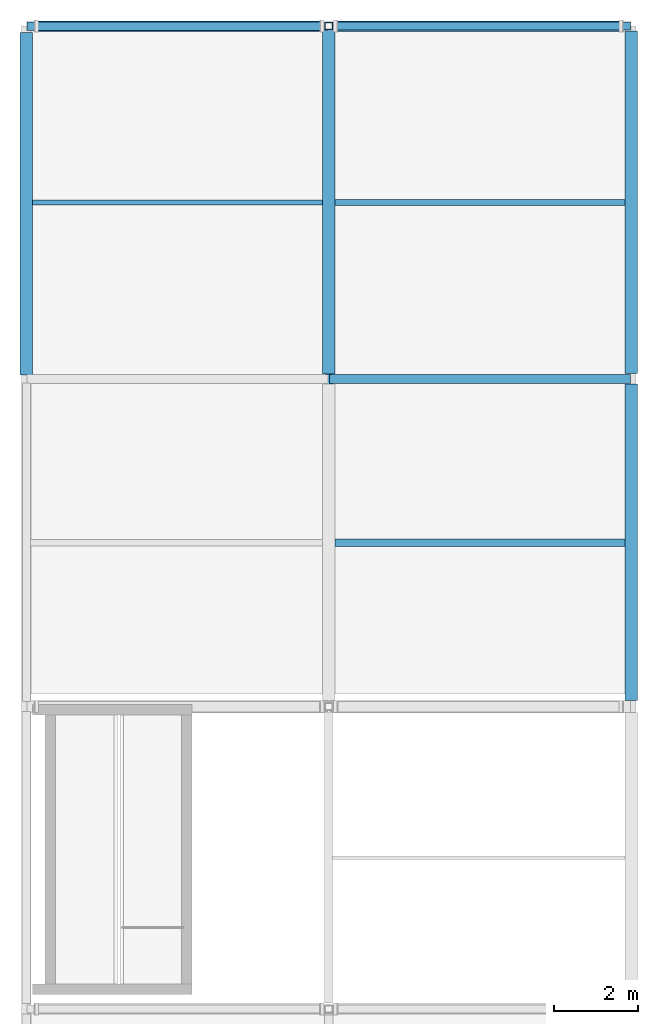
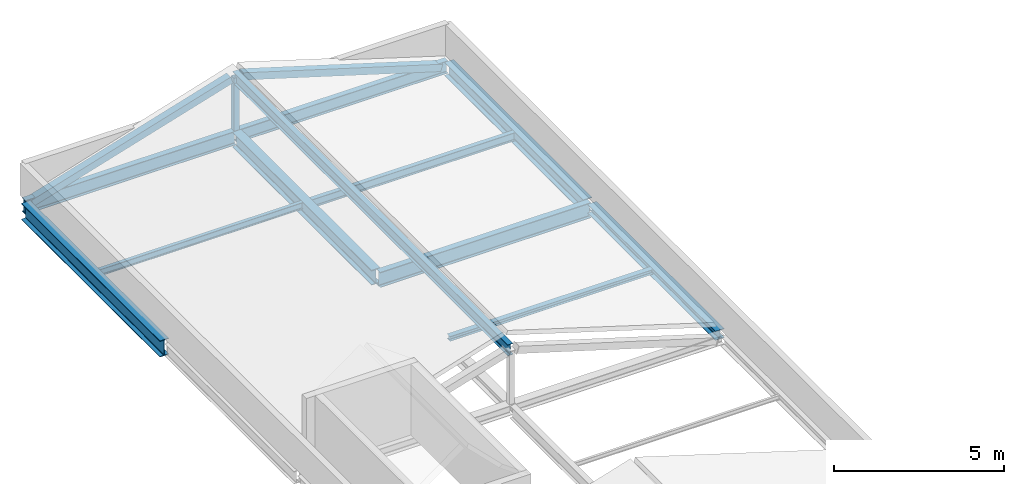
# One storey, part 4 of 9: 11 beams, 3 members.
"""IFC4 building model written with IfcOpenShell, lengths in metres."""

import ifcopenshell
import ifcopenshell.guid

model = None  # the IFC model being written
_history = None  # IfcOwnerHistory: only IFC2X3 demands one
_inside = {}  # id of a spatial element -> (the spatial element, [elements in it])
_under = {}  # id of a project, library or spatial element -> (it, [spatial elements below it])
_declared = {}  # id of a project -> (the project, [libraries it declares])
_typed = {}  # id of a type object -> (the type object, [elements of that type])
_made_of = {}  # id of a material, layer set ... -> (it, [elements and type objects made of it])


def new_model(schema):
    """Start an empty IFC model of exactly this schema.

    Asked for "IFC4X3", IfcOpenShell would pick the latest addendum, in which some entities
    have other attributes; the version numbers below select the first issue.
    IFC2X3 requires an IfcOwnerHistory on every rooted entity: one is made here for all.
    """
    global model, _history
    if schema == "IFC4X3":
        model = ifcopenshell.file(schema_version=(4, 3, 0, 0))
    else:
        model = ifcopenshell.file(schema=schema)
    _inside.clear()
    _under.clear()
    _declared.clear()
    _typed.clear()
    _made_of.clear()
    _history = None
    if model.schema == "IFC2X3":
        org = make("IfcOrganization", Name="unknown")
        user = make(
            "IfcPersonAndOrganization",
            ThePerson=make("IfcPerson", FamilyName="unknown"),
            TheOrganization=org,
        )
        app = make(
            "IfcApplication",
            ApplicationDeveloper=org,
            Version="unknown",
            ApplicationFullName="unknown",
            ApplicationIdentifier="unknown",
        )
        _history = make(
            "IfcOwnerHistory",
            OwningUser=user,
            OwningApplication=app,
            ChangeAction="ADDED",
            CreationDate=0,
        )
    return model


def make(cls, **values):
    """One entity of the class cls with the attributes given. An attribute that is None is left unset."""
    return model.create_entity(
        cls, **{name: value for name, value in values.items() if value is not None}
    )


def rooted(cls, **values):
    """An entity with a GlobalId (a new one), such as an element, a storey or a relation."""
    return make(cls, GlobalId=ifcopenshell.guid.new(), OwnerHistory=_history, **values)


def si_unit(unit_type, name, prefix=None):
    """IfcSIUnit, for example si_unit("LENGTHUNIT", "METRE", prefix="MILLI")."""
    return make("IfcSIUnit", UnitType=unit_type, Prefix=prefix, Name=name)


def assignment(units):
    """IfcUnitAssignment: the units of a project."""
    return None if units is None else make("IfcUnitAssignment", Units=units)


def point(xyz):
    """IfcCartesianPoint."""
    return None if xyz is None else make("IfcCartesianPoint", Coordinates=xyz)


def direction(xyz):
    """IfcDirection."""
    return None if xyz is None else make("IfcDirection", DirectionRatios=xyz)


def frame(location, z_axis=None, x_axis=None):
    """IfcAxis2Placement3D, a coordinate frame: its origin and axes. An axis left out is left unset."""
    return make(
        "IfcAxis2Placement3D",
        Location=point(location),
        Axis=direction(z_axis),
        RefDirection=direction(x_axis),
    )


def frame_2d(location, x_axis=None):
    """IfcAxis2Placement2D, a coordinate frame in the plane: its origin and x axis."""
    return make(
        "IfcAxis2Placement2D", Location=point(location), RefDirection=direction(x_axis)
    )


def origin():
    """The frame at (0, 0, 0) with its axes left unset."""
    return frame((0.0, 0.0, 0.0))


def origin_2d():
    """The frame at (0, 0) in the plane with its x axis left unset."""
    return frame_2d((0.0, 0.0))


def place(relative_to, where):
    """IfcLocalPlacement: puts the frame where relative to a parent placement (None: the world)."""
    return make(
        "IfcLocalPlacement", PlacementRelTo=relative_to, RelativePlacement=where
    )


def context(
    kind, dimensions, precision=None, world=None, true_north=None, identifier=None
):
    """IfcGeometricRepresentationContext, for example the 3D "Model" context."""
    return make(
        "IfcGeometricRepresentationContext",
        ContextIdentifier=identifier,
        ContextType=kind,
        CoordinateSpaceDimension=dimensions,
        Precision=precision,
        WorldCoordinateSystem=world,
        TrueNorth=true_north,
    )


def subcontext(parent, identifier, kind, view, scale=None):
    """IfcGeometricRepresentationSubContext, for example "Body" below "Model"."""
    return make(
        "IfcGeometricRepresentationSubContext",
        ContextIdentifier=identifier,
        ContextType=kind,
        ParentContext=parent,
        TargetScale=scale,
        TargetView=view,
    )


def project(units=None, contexts=None):
    """IfcProject with its units and contexts."""
    return rooted(
        "IfcProject",
        Name="project",
        RepresentationContexts=contexts,
        UnitsInContext=assignment(units),
    )


def spatial(cls, under=None, at=None, **own):
    """A site, building, storey or space (cls), placed at a placement, below another one or the project."""
    s = rooted(cls, ObjectPlacement=at, **own)
    if under is not None:
        _under.setdefault(under.id(), (under, []))[1].append(s)
    return s


def profile(cls, at=None, kind="AREA", **sizes):
    """A parametric profile (cls). Its sizes go by their IFC names, for example OverallWidth=200.0."""
    return make(cls, ProfileType=kind, Position=at, **sizes)


def hollow_rectangle(**sizes):
    """IfcRectangleHollowProfileDef."""
    return profile("IfcRectangleHollowProfileDef", **sizes)


def i_section(**sizes):
    """IfcIShapeProfileDef."""
    return profile("IfcIShapeProfileDef", **sizes)


def extrude(swept, where, along, depth):
    """IfcExtrudedAreaSolid: the profile swept, set in the frame where, extruded along a direction by depth."""
    return make(
        "IfcExtrudedAreaSolid",
        SweptArea=swept,
        Position=where,
        ExtrudedDirection=direction(along),
        Depth=depth,
    )


def shape(context_of_items, identifier, shape_type, items):
    """IfcShapeRepresentation: the items that make up one representation, for example the "Body"."""
    return make(
        "IfcShapeRepresentation",
        ContextOfItems=context_of_items,
        RepresentationIdentifier=identifier,
        RepresentationType=shape_type,
        Items=items,
    )


def material(Name=None, Category=None):
    """IfcMaterial."""
    return make("IfcMaterial", Name=Name, Category=Category)


def material_profile(
    of_material, cross_section, Name=None, Category=None, Priority=None
):
    """IfcMaterialProfile: a cross section and its material."""
    return make(
        "IfcMaterialProfile",
        Name=Name,
        Material=of_material,
        Profile=cross_section,
        Priority=Priority,
        Category=Category,
    )


def profile_set(profiles, Name=None, composite=None):
    """IfcMaterialProfileSet."""
    return make(
        "IfcMaterialProfileSet",
        Name=Name,
        MaterialProfiles=profiles,
        CompositeProfile=composite,
    )


def made_of(thing, what):
    """Note that an element or type object is made of a material, layer set ...; save() writes the relation."""
    if what is not None:
        _made_of.setdefault(what.id(), (what, []))[1].append(thing)
    return thing


def type_object(cls, material=None, **own):
    """A type object (cls), such as IfcWallType, which elements share."""
    return made_of(rooted(cls, **own), material)


def element(
    cls,
    number,
    at=None,
    inside=None,
    cuts=None,
    type_object=None,
    material=None,
    context=None,
    identifier="Body",
    shape_type=None,
    held_by="IfcProductDefinitionShape",
    body=None,
    shapes=None,
    **own,
):
    """One element of the class cls, such as IfcWall. Its Tag is "e" and its number.

    at: its placement. inside: the storey or other place that contains it. cuts: it is an
    opening in that element (IfcRelVoidsElement). A single representation is given by context,
    identifier, shape_type and body (its items); several are given by shapes. held_by: the class
    of the entity that holds the representations. save() writes the other relations.
    """
    e = rooted(cls, Tag="e%d" % number, ObjectPlacement=at, **own)
    if body is not None:
        shapes = [shape(context, identifier, shape_type, body)]
    if shapes is not None:
        e.Representation = make(held_by, Representations=shapes)
    if inside is not None:
        _inside.setdefault(inside.id(), (inside, []))[1].append(e)
    if cuts is not None:
        rooted(
            "IfcRelVoidsElement", RelatingBuildingElement=cuts, RelatedOpeningElement=e
        )
    if type_object is not None:
        _typed.setdefault(type_object.id(), (type_object, []))[1].append(e)
    return made_of(e, material)


def aggregate(whole, parts):
    """IfcRelAggregates: a whole, such as a stair, and the parts it consists of."""
    return rooted("IfcRelAggregates", RelatingObject=whole, RelatedObjects=parts)


def save(model, path):
    """Write the relations noted so far, then the file.

    IfcRelAggregates (storeys below a building ...), IfcRelContainedInSpatialStructure (elements
    in a storey), IfcRelDefinesByType, IfcRelAssociatesMaterial and IfcRelDeclares: one each for
    every whole, place, type object, material and project.
    """
    for whole, parts in _under.values():
        aggregate(whole, parts)
    for where, things in _inside.values():
        rooted(
            "IfcRelContainedInSpatialStructure",
            RelatedElements=things,
            RelatingStructure=where,
        )
    for kind, things in _typed.values():
        rooted("IfcRelDefinesByType", RelatedObjects=things, RelatingType=kind)
    for what, things in _made_of.values():
        rooted("IfcRelAssociatesMaterial", RelatedObjects=things, RelatingMaterial=what)
    for by, libraries in _declared.values():
        rooted("IfcRelDeclares", RelatingContext=by, RelatedDefinitions=libraries)
    model.write(path)


model = new_model("IFC4")

# Units and contexts
model_context = context("Model", 3, precision=1e-05, world=origin(), true_north=direction((0.0, 1.0)))
body_context = subcontext(model_context, "Body", "Model", "MODEL_VIEW")
ifc_project = project(units=[si_unit("LENGTHUNIT", "METRE"), si_unit("AREAUNIT", "SQUARE_METRE"), si_unit("VOLUMEUNIT", "CUBIC_METRE"), si_unit("PLANEANGLEUNIT", "RADIAN"), si_unit("MASSUNIT", "GRAM", prefix="KILO")], contexts=[model_context])

# Site, building, storey
site_placement = place(None, origin())
site = spatial("IfcSite", under=ifc_project, at=site_placement, CompositionType="ELEMENT")
building_placement = place(site_placement, origin())
building = spatial("IfcBuilding", under=site, at=building_placement, Name="Vinh Khe Railworks Police Headquarters", CompositionType="ELEMENT")
storey_placement = place(building_placement, frame((0.0, 0.0, 36.60009765625)))
storey = spatial("IfcBuildingStorey", under=building, at=storey_placement, Name="RF", CompositionType="ELEMENT", Elevation=36.60009765625)

# Member
ifc_material = material(Name="Steel S355JR", Category="steel")
ifc_material_profile_1 = material_profile(ifc_material, hollow_rectangle(XDim=0.179931640625, YDim=0.179931640625, WallThickness=0.010009765625, at=origin_2d()), Name="SHS 180x180x10")
ifc_profile_set_1 = profile_set([ifc_material_profile_1], Name="Steel S355JR")
member_type_1 = type_object("IfcMemberType", Name="Roof Strut SHS 180x180x10", PredefinedType="STRUT", material=ifc_profile_set_1)
member_placement = place(storey_placement, frame((7.800048828125, 104.39990234375, -0.18017578125), z_axis=(0.0, 0.0, 1.0), x_axis=(1.0, 0.0, 0.0)))
element("IfcMember", 1, at=member_placement, inside=storey, type_object=member_type_1, Name="Heritage Roof King Strut 3", PredefinedType="STRUT", context=body_context, shape_type="SweptSolid", body=[
    extrude(hollow_rectangle(XDim=0.179931640625, YDim=0.179931640625, WallThickness=0.010009765625, at=origin_2d()), origin(), (0.0, 0.0, 1.0), 1.900146484375),
])

# Beams
ifc_material_profile_2 = material_profile(ifc_material, i_section(OverallWidth=0.179931640625, OverallDepth=0.1708984375, WebThickness=0.006103515625, FlangeThickness=0.009521484375, FilletRadius=0.014892578125, at=origin_2d()), Name="HEA 180")
ifc_profile_set_2 = profile_set([ifc_material_profile_2], Name="Steel S355JR")
beam_type_1 = type_object("IfcBeamType", Name="Secondary Joist HEA 180", PredefinedType="JOIST", material=ifc_profile_set_2)
beam_1_placement = place(storey_placement, frame((7.949951171875, 92.10009765625, -0.265625), z_axis=(1.0, 0.0, 0.0), x_axis=(0.0, 1.0, 0.0)))
element("IfcBeam", 2, at=beam_1_placement, inside=storey, type_object=beam_type_1, Name="Secondary Joist JST-RF-SJ-10-0098", PredefinedType="JOIST", context=body_context, shape_type="SweptSolid", body=[
    extrude(i_section(OverallWidth=0.179931640625, OverallDepth=0.1708984375, WebThickness=0.006103515625, FlangeThickness=0.009521484375, FilletRadius=0.014892578125, at=origin_2d()), origin(), (0.0, 0.0, 1.0), 6.900146484375),
])
ifc_material_profile_3 = material_profile(ifc_material, i_section(OverallWidth=0.1201171875, OverallDepth=0.239990234375, WebThickness=0.006103515625, FlangeThickness=0.009765625, FilletRadius=0.014892578125, at=origin_2d()), Name="IPE 240")
ifc_profile_set_3 = profile_set([ifc_material_profile_3], Name="Steel S355JR")
beam_type_2 = type_object("IfcBeamType", Name="Secondary Joist IPE 240", PredefinedType="JOIST", material=ifc_profile_set_3)
beam_2_placement = place(storey_placement, frame((0.75, 100.199951171875, -0.300048828125), z_axis=(1.0, 0.0, 0.0), x_axis=(0.0, 1.0, 0.0)))
element("IfcBeam", 3, at=beam_2_placement, inside=storey, type_object=beam_type_2, Name="Secondary Joist JST-RF-SJ-04-0092", PredefinedType="JOIST", context=body_context, shape_type="SweptSolid", body=[
    extrude(i_section(OverallWidth=0.1201171875, OverallDepth=0.239990234375, WebThickness=0.006103515625, FlangeThickness=0.009765625, FilletRadius=0.014892578125, at=origin_2d()), origin(), (0.0, 0.0, 1.0), 6.89990234375),
])
ifc_material_profile_4 = material_profile(ifc_material, i_section(OverallWidth=0.14990234375, OverallDepth=0.300048828125, WebThickness=0.007080078125, FlangeThickness=0.0107421875, FilletRadius=0.014892578125, at=origin_2d()), Name="IPE 300")
ifc_profile_set_4 = profile_set([ifc_material_profile_4], Name="Steel S355JR")
beam_type_3 = type_object("IfcBeamType", Name="Secondary Joist IPE 300", PredefinedType="JOIST", material=ifc_profile_set_4)
beam_3_placement = place(storey_placement, frame((7.949951171875, 100.199951171875, -0.330078125), z_axis=(1.0, 0.0, 0.0), x_axis=(0.0, 1.0, 0.0)))
element("IfcBeam", 4, at=beam_3_placement, inside=storey, type_object=beam_type_3, Name="Secondary Joist JST-RF-SJ-02-0099", PredefinedType="JOIST", context=body_context, shape_type="SweptSolid", body=[
    extrude(i_section(OverallWidth=0.14990234375, OverallDepth=0.300048828125, WebThickness=0.007080078125, FlangeThickness=0.0107421875, FilletRadius=0.014892578125, at=origin_2d()), origin(), (0.0, 0.0, 1.0), 6.900146484375),
])
ifc_material_profile_5 = material_profile(ifc_material, i_section(OverallWidth=0.300048828125, OverallDepth=0.330078125, WebThickness=0.009521484375, FlangeThickness=0.0166015625, FilletRadius=0.027099609375, at=origin_2d()), Name="HEA 340")
ifc_profile_set_5 = profile_set([ifc_material_profile_5], Name="Steel S355JR")
beam_type_4 = type_object("IfcBeamType", Name="Steel Girder HEA 340", PredefinedType="BEAM", material=ifc_profile_set_5)
beam_4_placement = place(storey_placement, frame((15.0, 88.344970703125, -0.34521484375), z_axis=(0.0, 1.0, 0.0), x_axis=(-1.0, 0.0, 0.0)))
element("IfcBeam", 5, at=beam_4_placement, inside=storey, type_object=beam_type_4, Name="Girder BM-RF-NS-SB-16-2090", PredefinedType="BEAM", context=body_context, shape_type="SweptSolid", body=[
    extrude(i_section(OverallWidth=0.300048828125, OverallDepth=0.330078125, WebThickness=0.009521484375, FlangeThickness=0.0166015625, FilletRadius=0.027099609375, at=origin_2d()), origin(), (0.0, 0.0, 1.0), 7.530029296875),
])
ifc_material_profile_6 = material_profile(ifc_material, i_section(OverallWidth=0.300048828125, OverallDepth=0.489990234375, WebThickness=0.011962890625, FlangeThickness=0.02294921875, FilletRadius=0.027099609375, at=origin_2d()), Name="HEA 500")
ifc_profile_set_6 = profile_set([ifc_material_profile_6], Name="Steel S355JR")
beam_type_5 = type_object("IfcBeamType", Name="Steel Girder HEA 500", PredefinedType="BEAM", material=ifc_profile_set_6)
beam_5_placement = place(storey_placement, frame((15.0, 96.125, -0.425048828125), z_axis=(0.0, 1.0, 0.0), x_axis=(-1.0, 0.0, 0.0)))
element("IfcBeam", 6, at=beam_5_placement, inside=storey, type_object=beam_type_5, Name="Girder BM-RF-NS-SB-12-2091", PredefinedType="BEAM", context=body_context, shape_type="SweptSolid", body=[
    extrude(i_section(OverallWidth=0.300048828125, OverallDepth=0.489990234375, WebThickness=0.011962890625, FlangeThickness=0.02294921875, FilletRadius=0.027099609375, at=origin_2d()), origin(), (0.0, 0.0, 1.0), 8.159912109375),
])
ifc_material_profile_7 = material_profile(ifc_material, i_section(OverallWidth=0.300048828125, OverallDepth=0.5400390625, WebThickness=0.012451171875, FlangeThickness=0.02392578125, FilletRadius=0.027099609375, at=origin_2d()), Name="HEA 550")
ifc_profile_set_7 = profile_set([ifc_material_profile_7], Name="Steel S355JR")
beam_type_6 = type_object("IfcBeamType", Name="Steel Girder HEA 550", PredefinedType="BEAM", material=ifc_profile_set_7)
beam_6_placement = place(storey_placement, frame((7.800048828125, 96.114990234375, -0.4501953125), z_axis=(0.0, 1.0, 0.0), x_axis=(-1.0, 0.0, 0.0)))
element("IfcBeam", 7, at=beam_6_placement, inside=storey, type_object=beam_type_6, Name="Girder BM-RF-NS-SB-11-2078", PredefinedType="BEAM", context=body_context, shape_type="SweptSolid", body=[
    extrude(i_section(OverallWidth=0.300048828125, OverallDepth=0.5400390625, WebThickness=0.012451171875, FlangeThickness=0.02392578125, FilletRadius=0.027099609375, at=origin_2d()), origin(), (0.0, 0.0, 1.0), 8.18994140625),
])
ifc_material_profile_8 = material_profile(ifc_material, i_section(OverallWidth=0.300048828125, OverallDepth=0.590087890625, WebThickness=0.012939453125, FlangeThickness=0.02490234375, FilletRadius=0.027099609375, at=origin_2d()), Name="HEA 600")
ifc_profile_set_8 = profile_set([ifc_material_profile_8], Name="Steel S355JR")
beam_type_7 = type_object("IfcBeamType", Name="Steel Girder HEA 600", PredefinedType="BEAM", material=ifc_profile_set_8)
beam_7_placement = place(storey_placement, frame((0.60009765625, 96.094970703125, -0.47509765625), z_axis=(0.0, 1.0, 0.0), x_axis=(-1.0, 0.0, 0.0)))
element("IfcBeam", 8, at=beam_7_placement, inside=storey, type_object=beam_type_7, Name="Girder BM-RF-NS-SB-10-2065", PredefinedType="BEAM", context=body_context, shape_type="SweptSolid", body=[
    extrude(i_section(OverallWidth=0.300048828125, OverallDepth=0.590087890625, WebThickness=0.012939453125, FlangeThickness=0.02490234375, FilletRadius=0.027099609375, at=origin_2d()), origin(), (0.0, 0.0, 1.0), 8.150146484375),
])
ifc_material_profile_9 = material_profile(ifc_material, i_section(OverallWidth=0.179931640625, OverallDepth=0.39990234375, WebThickness=0.008544921875, FlangeThickness=0.013427734375, FilletRadius=0.02099609375, at=origin_2d()), Name="IPE 400")
ifc_profile_set_9 = profile_set([ifc_material_profile_9], Name="Steel S355JR")
beam_type_8 = type_object("IfcBeamType", Name="Steel Girder IPE 400", PredefinedType="BEAM", material=ifc_profile_set_9)
beam_8_placement = place(storey_placement, frame((7.800048828125, 88.199951171875, 1.719970703125), z_axis=(0.0, 1.0, 0.0), x_axis=(-1.0, 0.0, 0.0)))
element("IfcBeam", 9, at=beam_8_placement, inside=storey, type_object=beam_type_8, Name="Heritage Roof Ridge Beam 3", PredefinedType="BEAM", context=body_context, shape_type="SweptSolid", body=[
    extrude(i_section(OverallWidth=0.179931640625, OverallDepth=0.39990234375, WebThickness=0.008544921875, FlangeThickness=0.013427734375, FilletRadius=0.02099609375, at=origin_2d()), origin(), (0.0, 0.0, 1.0), 16.199951171875),
])
ifc_material_profile_10 = material_profile(ifc_material, i_section(OverallWidth=0.18994140625, OverallDepth=0.449951171875, WebThickness=0.009521484375, FlangeThickness=0.0146484375, FilletRadius=0.02099609375, at=origin_2d()), Name="IPE 450")
ifc_profile_set_10 = profile_set([ifc_material_profile_10], Name="Steel S355JR")
beam_type_9 = type_object("IfcBeamType", Name="Steel Girder IPE 450", PredefinedType="BEAM", material=ifc_profile_set_10)
beam_9_placement = place(storey_placement, frame((7.820068359375, 104.39990234375, -0.405029296875), z_axis=(1.0, 0.0, 0.0), x_axis=(0.0, 1.0, 0.0)))
element("IfcBeam", 10, at=beam_9_placement, inside=storey, type_object=beam_type_9, Name="Girder BM-RF-EW-SB-20-2052", PredefinedType="BEAM", context=body_context, shape_type="SweptSolid", body=[
    extrude(i_section(OverallWidth=0.18994140625, OverallDepth=0.449951171875, WebThickness=0.009521484375, FlangeThickness=0.0146484375, FilletRadius=0.02099609375, at=origin_2d()), origin(), (0.0, 0.0, 1.0), 7.159912109375),
])
ifc_material_profile_11 = material_profile(ifc_material, i_section(OverallWidth=0.199951171875, OverallDepth=0.5, WebThickness=0.01025390625, FlangeThickness=0.01611328125, FilletRadius=0.02099609375, at=origin_2d()), Name="IPE 500")
ifc_profile_set_11 = profile_set([ifc_material_profile_11], Name="Steel S355JR")
beam_type_10 = type_object("IfcBeamType", Name="Steel Girder IPE 500", PredefinedType="BEAM", material=ifc_profile_set_11)
beam_10_placement = place(storey_placement, frame((0.6201171875, 104.39990234375, -0.43017578125), z_axis=(1.0, 0.0, 0.0), x_axis=(0.0, 1.0, 0.0)))
element("IfcBeam", 11, at=beam_10_placement, inside=storey, type_object=beam_type_10, Name="Girder BM-RF-EW-SB-19-2051", PredefinedType="BEAM", context=body_context, shape_type="SweptSolid", body=[
    extrude(i_section(OverallWidth=0.199951171875, OverallDepth=0.5, WebThickness=0.01025390625, FlangeThickness=0.01611328125, FilletRadius=0.02099609375, at=origin_2d()), origin(), (0.0, 0.0, 1.0), 7.159912109375),
])
ifc_material_profile_12 = material_profile(ifc_material, i_section(OverallWidth=0.2099609375, OverallDepth=0.550048828125, WebThickness=0.010986328125, FlangeThickness=0.01708984375, FilletRadius=0.02392578125, at=origin_2d()), Name="IPE 550")
ifc_profile_set_12 = profile_set([ifc_material_profile_12], Name="Steel S355JR")
beam_type_11 = type_object("IfcBeamType", Name="Steel Girder IPE 550", PredefinedType="BEAM", material=ifc_profile_set_12)
beam_11_placement = place(storey_placement, frame((7.820068359375, 96.0, -0.455078125), z_axis=(1.0, 0.0, 0.0), x_axis=(0.0, 1.0, 0.0)))
element("IfcBeam", 12, at=beam_11_placement, inside=storey, type_object=beam_type_11, Name="Girder BM-RF-EW-SB-18-2050", PredefinedType="BEAM", context=body_context, shape_type="SweptSolid", body=[
    extrude(i_section(OverallWidth=0.2099609375, OverallDepth=0.550048828125, WebThickness=0.010986328125, FlangeThickness=0.01708984375, FilletRadius=0.02392578125, at=origin_2d()), origin(), (0.0, 0.0, 1.0), 7.159912109375),
])

# Members
ifc_material_profile_13 = material_profile(ifc_material, hollow_rectangle(XDim=0.25, YDim=0.25, WallThickness=0.012451171875, at=origin_2d()), Name="SHS 250x250x12.5")
ifc_profile_set_13 = profile_set([ifc_material_profile_13], Name="Steel S355JR")
member_type_2 = type_object("IfcMemberType", Name="Truss Chord SHS 250x250x12.5", PredefinedType="CHORD", material=ifc_profile_set_13)
for number, where, z_axis, x_axis, name in (
    (13, (0.85009765625, 104.39990234375, -0.340087890625), (0.956688920736, 0.0, 0.291112193046), (0.0, 1.0, 0.0), "Heritage Gable Truss Chord 3W"),
    (14, (14.75, 104.39990234375, -0.340087890625), (-0.956688920736, 0.0, 0.291112193046), (0.0, -1.0, 0.0), "Heritage Gable Truss Chord 3E"),
):
    element("IfcMember", number, at=place(storey_placement, frame(where, z_axis=z_axis, x_axis=x_axis)), inside=storey, type_object=member_type_2, Name=name, PredefinedType="CHORD", context=body_context, shape_type="SweptSolid", body=[
        extrude(hollow_rectangle(XDim=0.25, YDim=0.25, WallThickness=0.012451171875, at=origin_2d()), origin(), (0.0, 0.0, 1.0), 7.076416015625),
    ])

save(model, "model.ifc")
